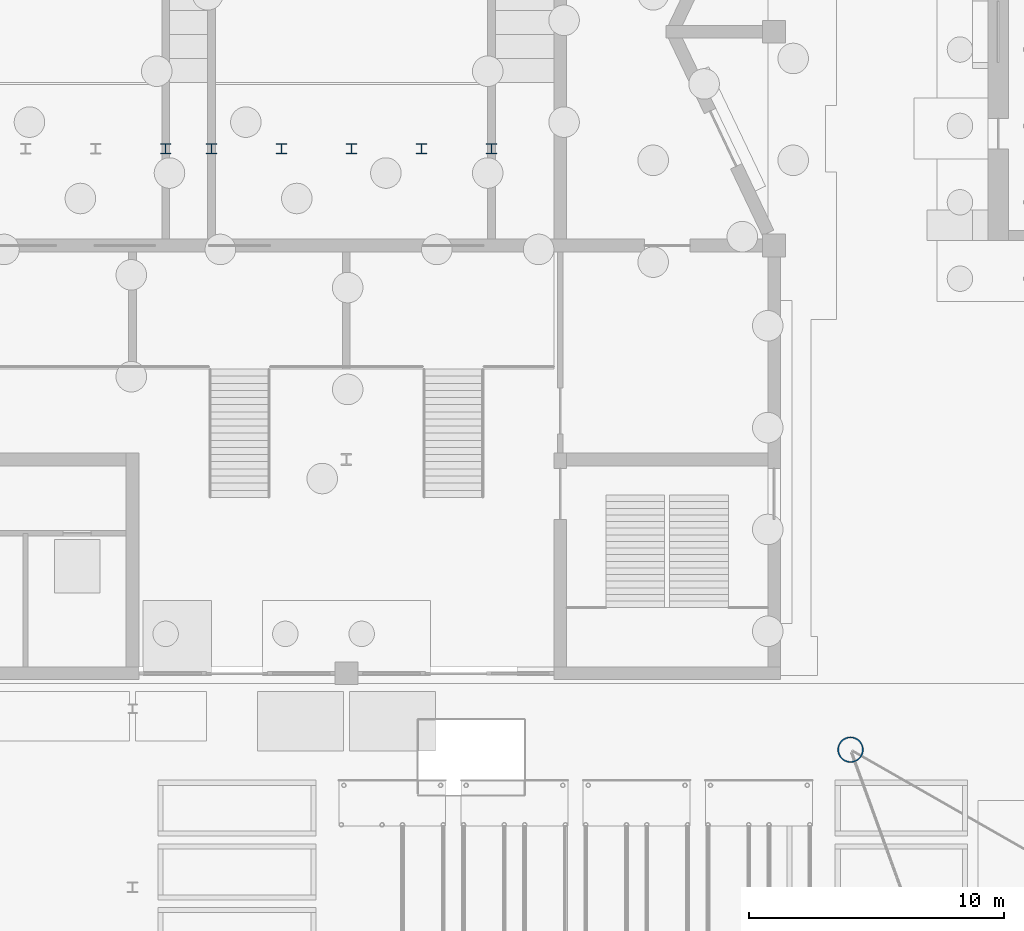
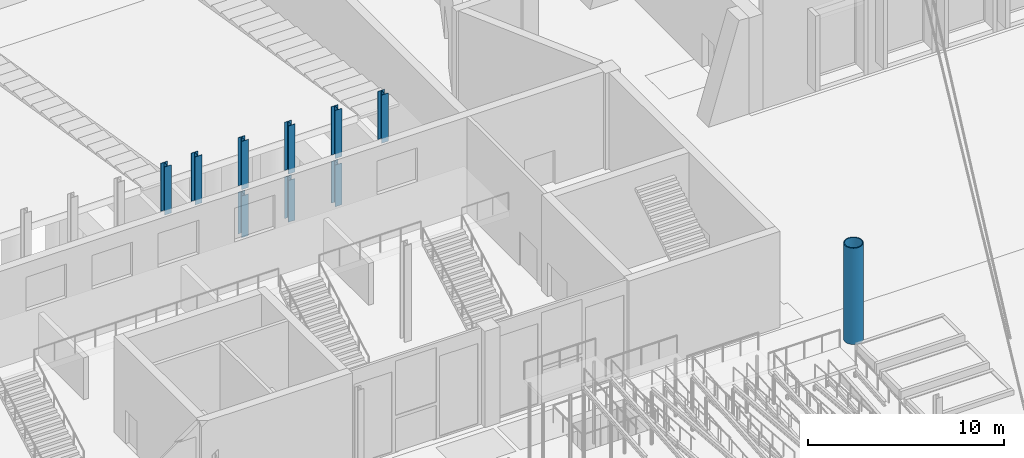
# One storey, part 26 of 108: 10 columns.
"""IFC4 building model written with IfcOpenShell, lengths in metres."""

from ifc_helpers import new_model, si_unit, direction, frame, origin, origin_2d, place, context, subcontext, project, spatial, hollow_circle, i_section, extrude, material, material_profile, profile_set, type_object, element, save


model = new_model("IFC4")

# Units and contexts
model_context = context("Model", 3, precision=1e-05, world=origin(), true_north=direction((0.0, 1.0)))
body_context = subcontext(model_context, "Body", "Model", "MODEL_VIEW")
ifc_project = project(units=[si_unit("LENGTHUNIT", "METRE"), si_unit("AREAUNIT", "SQUARE_METRE"), si_unit("VOLUMEUNIT", "CUBIC_METRE"), si_unit("PLANEANGLEUNIT", "RADIAN"), si_unit("MASSUNIT", "GRAM", prefix="KILO")], contexts=[model_context])

# Site, building, storey
site_placement = place(None, origin())
site = spatial("IfcSite", under=ifc_project, at=site_placement, CompositionType="ELEMENT")
building_placement = place(site_placement, origin())
building = spatial("IfcBuilding", under=site, at=building_placement, Name="Cresset Court Congress Hotel", CompositionType="ELEMENT")
storey_placement = place(building_placement, origin())
storey = spatial("IfcBuildingStorey", under=building, at=storey_placement, Name="L00", CompositionType="ELEMENT", Elevation=0.0)

# Columns
ifc_material_1 = material(Name="Structural steel Q355B", Category="steel")
ifc_material_profile_1 = material_profile(ifc_material_1, hollow_circle(Radius=0.508056640625, WallThickness=0.050048828125, at=origin_2d()), Name="CHS1016x50")
ifc_profile_set_1 = profile_set([ifc_material_profile_1], Name="Structural steel Q355B")
column_type_1 = type_object("IfcColumnType", Name="Mast tube 1016x50", PredefinedType="COLUMN", material=ifc_profile_set_1)
column_placement = place(storey_placement, frame((120.60009765625, 55.800048828125, 0.0), z_axis=(0.0, 0.0, 1.0), x_axis=(1.0, 0.0, 0.0)))
element("IfcColumn", 1, at=column_placement, inside=storey, type_object=column_type_1, Name="Mast M2", PredefinedType="COLUMN", context=body_context, shape_type="SweptSolid", body=[
    extrude(hollow_circle(Radius=0.508056640625, WallThickness=0.050048828125, at=origin_2d()), origin(), (0.0, 0.0, 1.0), 6.0),
])
ifc_material_2 = material(Name="Structural steel Q355B", Category="steel")
ifc_material_profile_2 = material_profile(ifc_material_2, i_section(OverallWidth=0.39990234375, OverallDepth=0.39990234375, WebThickness=0.012939453125, FlangeThickness=0.02099609375, FilletRadius=0.02197265625, at=origin_2d()), Name="HW400x400x13x21")
ifc_profile_set_2 = profile_set([ifc_material_profile_2], Name="Structural steel Q355B")
column_type_2 = type_object("IfcColumnType", Name="Steel HW400x400x13x21 column", PredefinedType="COLUMN", material=ifc_profile_set_2)
for number, where, z_axis, x_axis, name in (
    (2, (93.699951171875, 79.39990234375, 3.0), (0.0, 0.0, 1.0), (1.0, 0.0, 0.0), "Column CC-K10"),
    (3, (95.5, 79.39990234375, 3.0), (0.0, 0.0, 1.0), (1.0, 0.0, 0.0), "Column CC-K11"),
    (4, (98.25, 79.39990234375, 3.0), (0.0, 0.0, 1.0), (1.0, 0.0, 0.0), "Column CC-K12"),
    (5, (101.0, 79.39990234375, 3.0), (0.0, 0.0, 1.0), (1.0, 0.0, 0.0), "Column CC-K13"),
    (6, (103.75, 79.39990234375, 3.0), (0.0, 0.0, 1.0), (1.0, 0.0, 0.0), "Column CC-K14"),
    (7, (106.5, 79.39990234375, 3.0), (0.0, 0.0, 1.0), (1.0, 0.0, 0.0), "Column CC-K15"),
):
    element("IfcColumn", number, at=place(storey_placement, frame(where, z_axis=z_axis, x_axis=x_axis)), inside=storey, type_object=column_type_2, Name=name, PredefinedType="COLUMN", context=body_context, shape_type="SweptSolid", body=[
        extrude(i_section(OverallWidth=0.39990234375, OverallDepth=0.39990234375, WebThickness=0.012939453125, FlangeThickness=0.02099609375, FilletRadius=0.02197265625, at=origin_2d()), origin(), (0.0, 0.0, 1.0), 3.0),
    ])
for number, where, z_axis, x_axis, name in (
    (8, (98.25, 79.39990234375, 0.0), (0.0, 0.0, 1.0), (1.0, 0.0, 0.0), "Column CC-K12"),
    (9, (101.0, 79.39990234375, 0.0), (0.0, 0.0, 1.0), (1.0, 0.0, 0.0), "Column CC-K13"),
    (10, (103.75, 79.39990234375, 0.0), (0.0, 0.0, 1.0), (1.0, 0.0, 0.0), "Column CC-K14"),
):
    element("IfcColumn", number, at=place(storey_placement, frame(where, z_axis=z_axis, x_axis=x_axis)), inside=storey, type_object=column_type_2, Name=name, PredefinedType="COLUMN", context=body_context, shape_type="SweptSolid", body=[
        extrude(i_section(OverallWidth=0.39990234375, OverallDepth=0.39990234375, WebThickness=0.012939453125, FlangeThickness=0.02099609375, FilletRadius=0.02197265625, at=origin_2d()), origin(), (0.0, 0.0, 1.0), 2.60009765625),
    ])

save(model, "model.ifc")
